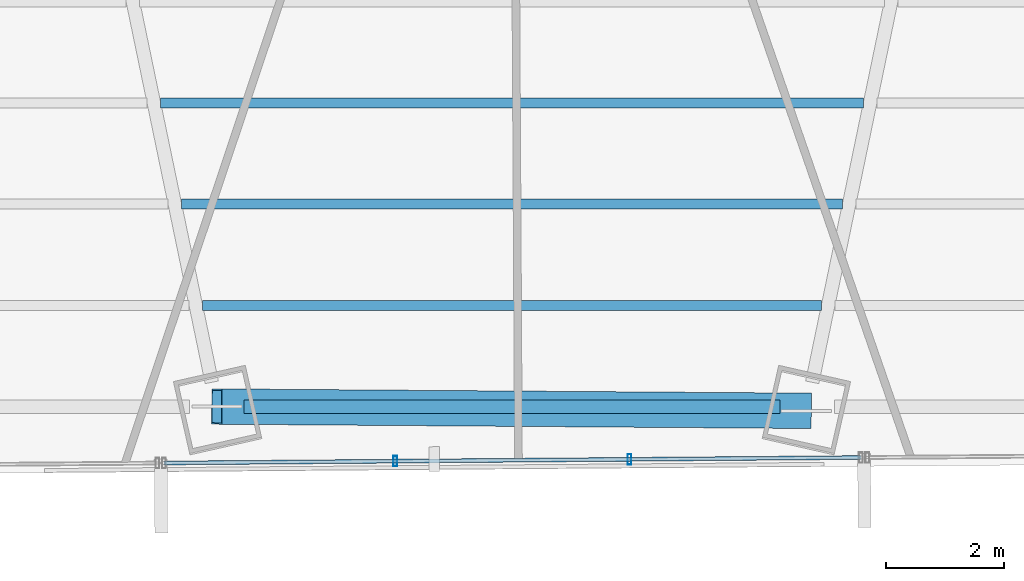
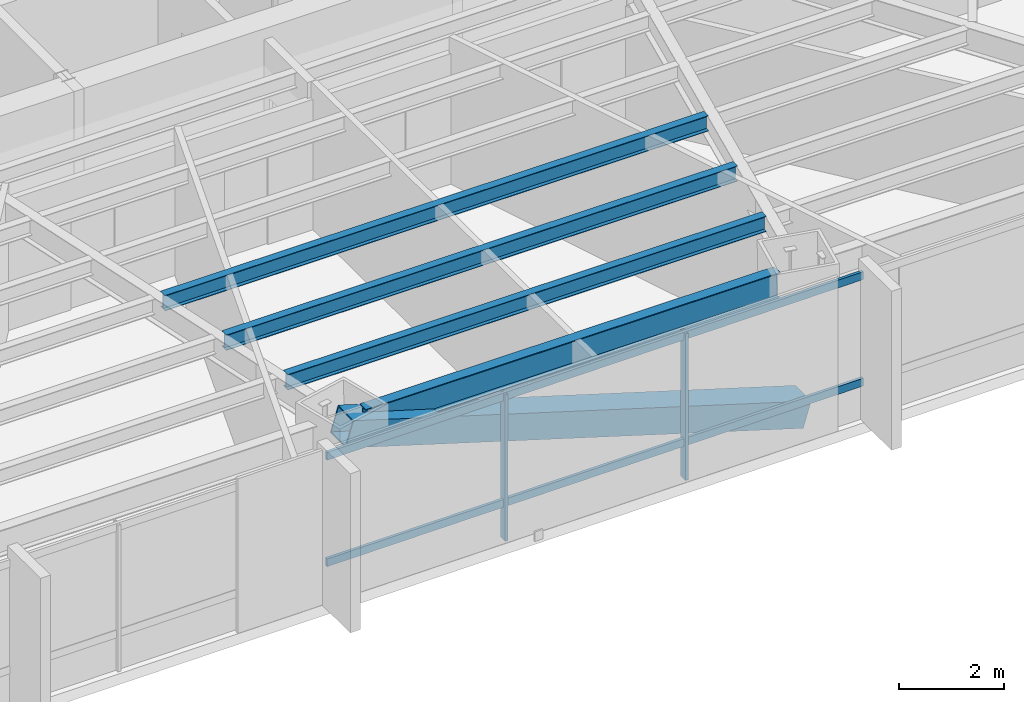
# One storey, part 8 of 35: 5 members, 4 beams, 1 element without a shape of its own.
"""IFC4 building model written with IfcOpenShell, lengths in metres."""

from ifc_helpers import new_model, si_unit, direction, frame, origin, origin_2d, place, context, subcontext, project, spatial, hollow_rectangle, i_section, extrude, source, transform, mapped, material, material_profile, profile_set, type_object, type_shapes, element, aggregate, save


model = new_model("IFC4")

# Units and contexts
model_context = context("Model", 3, precision=1e-05, world=origin(), true_north=direction((0.0, 1.0)))
body_context = subcontext(model_context, "Body", "Model", "MODEL_VIEW")
ifc_project = project(units=[si_unit("LENGTHUNIT", "METRE"), si_unit("AREAUNIT", "SQUARE_METRE"), si_unit("VOLUMEUNIT", "CUBIC_METRE"), si_unit("PLANEANGLEUNIT", "RADIAN"), si_unit("MASSUNIT", "GRAM", prefix="KILO")], contexts=[model_context])

# Site, building, storey
site_placement = place(None, origin())
site = spatial("IfcSite", under=ifc_project, at=site_placement, CompositionType="ELEMENT")
building_placement = place(site_placement, origin())
building = spatial("IfcBuilding", under=site, at=building_placement, Name="Caelisora Broadcast Tower", CompositionType="ELEMENT")
storey_placement = place(building_placement, frame((0.0, 0.0, 53.14990234375)))
storey = spatial("IfcBuildingStorey", under=building, at=storey_placement, Name="L13", CompositionType="ELEMENT", Elevation=53.14990234375)

# Beams
ifc_material_1 = material(Name="Steel Grade 350 (AS/NZS 3679.1)", Category="steel")
ifc_material_profile_1 = material_profile(ifc_material_1, i_section(OverallWidth=0.22900390625, OverallDepth=0.611572265625, WebThickness=0.011962890625, FlangeThickness=0.01953125, at=origin_2d()), Name="Steel Grade 350 (AS/NZS 3679.1)")
ifc_profile_set_1 = profile_set([ifc_material_profile_1], Name="Steel Grade 350 (AS/NZS 3679.1)")
beam_type_1 = type_object("IfcBeamType", Name="PG03", PredefinedType="BEAM", material=ifc_profile_set_1)
shared_shape_1 = source(origin(), body_context, "Body", "SweptSolid", [
    extrude(i_section(OverallWidth=0.22900390625, OverallDepth=0.611572265625, WebThickness=0.011962890625, FlangeThickness=0.01953125, at=origin_2d()), origin(), (0.0, 0.0, 1.0), 9.09716796875),
])
type_shapes(beam_type_1, [shared_shape_1])
beam_1_placement = place(storey_placement, frame((33.451416015625, 5.37841796875, 3.09423828125), z_axis=(1.0, 0.0, 0.0), x_axis=(0.0, 1.0, 0.0)))
element("IfcBeam", 1, at=beam_1_placement, inside=storey, type_object=beam_type_1, Name="L13 beam PG03", PredefinedType="BEAM", context=body_context, shape_type="MappedRepresentation", body=[
    mapped(shared_shape_1, transform((0.0, 0.0, 0.0), scale=1.0)),
])
ifc_material_profile_2 = material_profile(ifc_material_1, i_section(OverallWidth=0.172119140625, OverallDepth=0.358642578125, WebThickness=0.008056640625, FlangeThickness=0.012939453125, at=origin_2d()), Name="Steel Grade 350 (AS/NZS 3679.1)")
ifc_profile_set_2 = profile_set([ifc_material_profile_2], Name="Steel Grade 350 (AS/NZS 3679.1)")
beam_type_2 = type_object("IfcBeamType", Name="SB02", PredefinedType="JOIST", material=ifc_profile_set_2)
shared_shape_2 = source(origin(), body_context, "Body", "SweptSolid", [
    extrude(i_section(OverallWidth=0.172119140625, OverallDepth=0.358642578125, WebThickness=0.008056640625, FlangeThickness=0.012939453125, at=origin_2d()), origin(), (0.0, 0.0, 1.0), 11.92578125),
])
beam_2_placement = place(storey_placement, frame((32.037109375, 10.530517578125, 3.220703125), z_axis=(1.0, 0.0, 0.0), x_axis=(0.0, 1.0, 0.0)))
element("IfcBeam", 2, at=beam_2_placement, inside=storey, type_object=beam_type_2, Name="L13 beam SB02", PredefinedType="JOIST", context=body_context, shape_type="MappedRepresentation", body=[
    mapped(shared_shape_2, transform((0.0, 0.0, 0.0), scale=1.0)),
])
shared_shape_3 = source(origin(), body_context, "Body", "SweptSolid", [
    extrude(i_section(OverallWidth=0.172119140625, OverallDepth=0.358642578125, WebThickness=0.008056640625, FlangeThickness=0.012939453125, at=origin_2d()), origin(), (0.0, 0.0, 1.0), 11.2138671875),
])
beam_3_placement = place(storey_placement, frame((32.39306640625, 8.81298828125, 3.220703125), z_axis=(1.0, 0.0, 0.0), x_axis=(0.0, 1.0, 0.0)))
element("IfcBeam", 3, at=beam_3_placement, inside=storey, type_object=beam_type_2, Name="L13 beam SB02", PredefinedType="JOIST", context=body_context, shape_type="MappedRepresentation", body=[
    mapped(shared_shape_3, transform((0.0, 0.0, 0.0), scale=1.0)),
])
shared_shape_4 = source(origin(), body_context, "Body", "SweptSolid", [
    extrude(i_section(OverallWidth=0.172119140625, OverallDepth=0.358642578125, WebThickness=0.008056640625, FlangeThickness=0.012939453125, at=origin_2d()), origin(), (0.0, 0.0, 1.0), 10.501953125),
])
type_shapes(beam_type_2, [shared_shape_2, shared_shape_3, shared_shape_4])
beam_4_placement = place(storey_placement, frame((32.7490234375, 7.095703125, 3.220703125), z_axis=(1.0, 0.0, 0.0), x_axis=(0.0, 1.0, 0.0)))
element("IfcBeam", 4, at=beam_4_placement, inside=storey, type_object=beam_type_2, Name="L13 beam SB02", PredefinedType="JOIST", context=body_context, shape_type="MappedRepresentation", body=[
    mapped(shared_shape_4, transform((0.0, 0.0, 0.0), scale=1.0)),
])

# Member
ifc_material_2 = material(Name="Steel Grade 450 L15 (AS/NZS 3678)", Category="steel")
ifc_material_profile_3 = material_profile(ifc_material_2, hollow_rectangle(XDim=0.60009765625, YDim=0.60009765625, WallThickness=0.02490234375, at=origin_2d()), Name="Steel Grade 450 L15 (AS/NZS 3678)")
ifc_profile_set_3 = profile_set([ifc_material_profile_3], Name="Steel Grade 450 L15 (AS/NZS 3678)")
member_type_1 = type_object("IfcMemberType", Name="BR01", PredefinedType="BRACE", material=ifc_profile_set_3)
shared_shape_5 = source(origin(), body_context, "Body", "SweptSolid", [
    extrude(hollow_rectangle(XDim=0.60009765625, YDim=0.60009765625, WallThickness=0.02490234375, at=origin_2d()), origin(), (0.0, 0.0, 1.0), 10.441162109375),
])
type_shapes(member_type_1, [shared_shape_5])
member_1_placement = place(storey_placement, frame((32.991455078125, 5.37841796875, 3.10009765625), z_axis=(0.957809135578, -0.00692116066, -0.287321696604), x_axis=(0.007225844601, 0.999973893244, 0.0)))
element("IfcMember", 5, at=member_1_placement, inside=storey, type_object=member_type_1, Name="L13 perimeter brace BR01", PredefinedType="BRACE", context=body_context, shape_type="MappedRepresentation", body=[
    mapped(shared_shape_5, transform((0.0, 0.0, 0.0), scale=1.0)),
])

# Curtain wall, members
ifc_material_3 = material(Name="Unitised Aluminium Insulated Shadow-Box Spandrel Curtain Wall", Category="aluminium")
curtain_wall_type = type_object("IfcCurtainWallType", Name="CW-SP1", PredefinedType="NOTDEFINED", material=ifc_material_3)
curtain_wall_placement = place(storey_placement, origin())
curtain_wall = element("IfcCurtainWall", 6, at=curtain_wall_placement, inside=storey, type_object=curtain_wall_type, Name="L13 curtain wall CW-SP1", PredefinedType="NOTDEFINED")
ifc_material_4 = material(Name="Aluminium 6063-T6 Anodised Terracotta Bronze", Category="aluminium")
ifc_material_profile_4 = material_profile(ifc_material_4, hollow_rectangle(XDim=0.06494140625, YDim=0.179931640625, WallThickness=0.00341796875, at=origin_2d()), Name="Aluminium 6063-T6 Anodised Terracotta Bronze")
ifc_profile_set_4 = profile_set([ifc_material_profile_4], Name="Aluminium 6063-T6 Anodised Terracotta Bronze")
member_type_2 = type_object("IfcMemberType", Name="CWM-02", PredefinedType="MULLION", material=ifc_profile_set_4)
shared_shape_6 = source(origin(), body_context, "Body", "SweptSolid", [
    extrude(hollow_rectangle(XDim=0.06494140625, YDim=0.179931640625, WallThickness=0.00341796875, at=origin_2d()), origin(), (0.0, 0.0, 1.0), 3.400146484375),
])
type_shapes(member_type_2, [shared_shape_6])
member_2_placement = place(storey_placement, frame((39.993896484375, 4.482666015625, 0.0), z_axis=(0.0, 0.0, 1.0), x_axis=(1.0, 0.0, 0.0)))
member_2 = element("IfcMember", 7, at=member_2_placement, type_object=member_type_2, Name="L13-CW-B06 mullion #1", PredefinedType="MULLION", context=body_context, shape_type="MappedRepresentation", body=[
    mapped(shared_shape_6, transform((0.0, 0.0, 0.0), scale=1.0)),
])
member_3_placement = place(storey_placement, frame((36.019287109375, 4.451416015625, 0.0), z_axis=(0.0, 0.0, 1.0), x_axis=(1.0, 0.0, 0.0)))
member_3 = element("IfcMember", 8, at=member_3_placement, type_object=member_type_2, Name="L13-CW-B06 mullion #2", PredefinedType="MULLION", context=body_context, shape_type="MappedRepresentation", body=[
    mapped(shared_shape_6, transform((0.0, 0.0, 0.0), scale=1.0)),
])
ifc_material_profile_5 = material_profile(ifc_material_4, hollow_rectangle(XDim=0.06494140625, YDim=0.179931640625, WallThickness=0.00341796875, at=origin_2d()), Name="Aluminium 6063-T6 Anodised Terracotta Bronze")
ifc_profile_set_5 = profile_set([ifc_material_profile_5], Name="Aluminium 6063-T6 Anodised Terracotta Bronze")
member_type_3 = type_object("IfcMemberType", Name="CWT-01", PredefinedType="USERDEFINED", material=ifc_profile_set_5)
shared_shape_7 = source(origin(), body_context, "Body", "SweptSolid", [
    extrude(hollow_rectangle(XDim=0.06494140625, YDim=0.179931640625, WallThickness=0.00341796875, at=origin_2d()), origin(), (0.0, 0.0, 1.0), 11.82421875),
])
type_shapes(member_type_3, [shared_shape_7])
member_4_placement = place(storey_placement, frame((43.91845703125, 4.513671875, 0.85009765625), z_axis=(-0.999968893759, -0.007887427574, 0.0), x_axis=(0.007887427574, -0.999968893759, 0.0)))
member_4 = element("IfcMember", 9, at=member_4_placement, type_object=member_type_3, Name="L13-CW-B06 transom #1", ObjectType="TRANSOM", PredefinedType="USERDEFINED", context=body_context, shape_type="MappedRepresentation", body=[
    mapped(shared_shape_7, transform((0.0, 0.0, 0.0), scale=1.0)),
])
member_5_placement = place(storey_placement, frame((43.91845703125, 4.513671875, 3.320068359375), z_axis=(-0.999968893759, -0.007887427574, 0.0), x_axis=(0.007887427574, -0.999968893759, 0.0)))
member_5 = element("IfcMember", 10, at=member_5_placement, type_object=member_type_3, Name="L13-CW-B06 transom #2", ObjectType="TRANSOM", PredefinedType="USERDEFINED", context=body_context, shape_type="MappedRepresentation", body=[
    mapped(shared_shape_7, transform((0.0, 0.0, 0.0), scale=1.0)),
])
aggregate(curtain_wall, [member_2, member_3, member_4, member_5])

save(model, "model.ifc")
